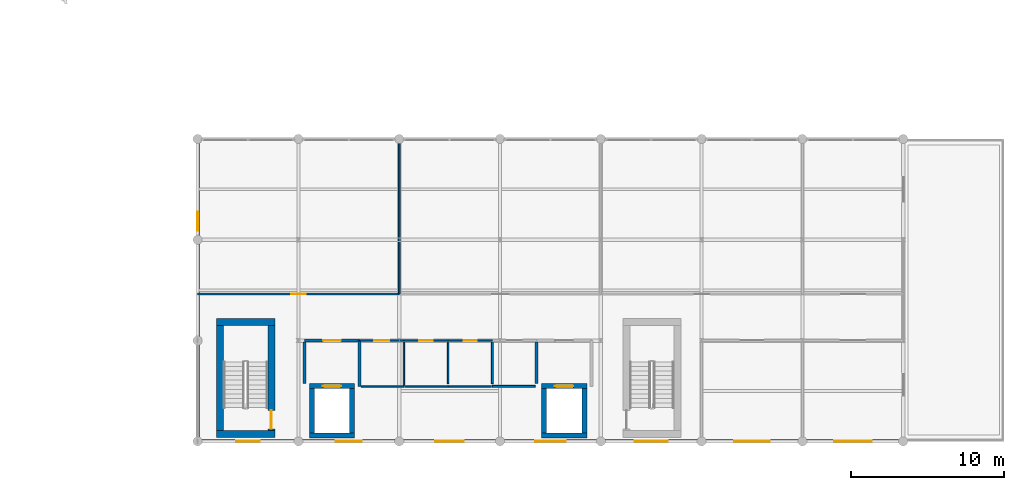
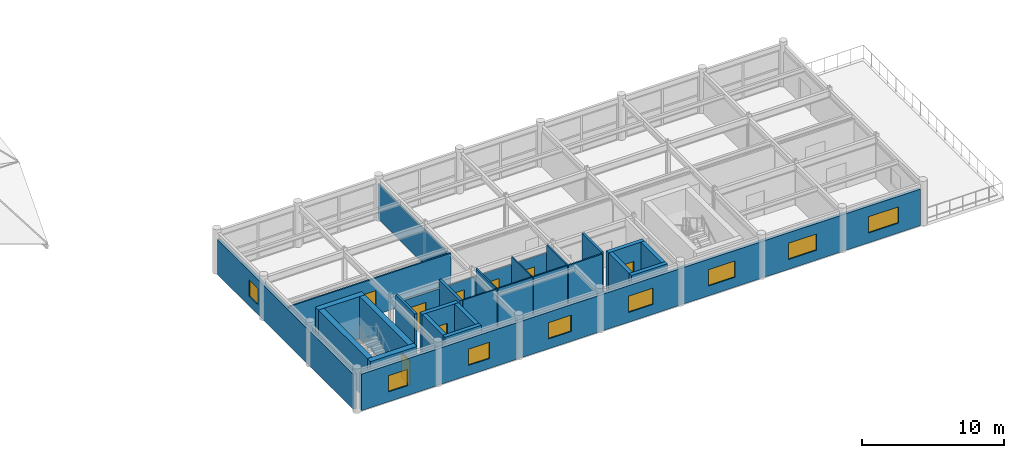
# One storey, part 25 of 28: 30 walls, 8 doors, 8 windows, 16 openings.
"""IFC4 building model written with IfcOpenShell, lengths in metres."""

from ifc_helpers import new_model, si_unit, direction, frame, frame_2d, origin, place, context, subcontext, project, spatial, rectangle, extrude, material, layer, layer_set, type_object, element, fill, save


model = new_model("IFC4")

# Units and contexts
model_context = context("Model", 3, precision=1e-05, world=origin(), true_north=direction((0.0, 1.0)))
body_context = subcontext(model_context, "Body", "Model", "MODEL_VIEW")
ifc_project = project(units=[si_unit("LENGTHUNIT", "METRE"), si_unit("AREAUNIT", "SQUARE_METRE"), si_unit("VOLUMEUNIT", "CUBIC_METRE"), si_unit("PLANEANGLEUNIT", "RADIAN"), si_unit("MASSUNIT", "GRAM", prefix="KILO")], contexts=[model_context])

# Site, building, storey
site_placement = place(None, origin())
site = spatial("IfcSite", under=ifc_project, at=site_placement, CompositionType="ELEMENT")
building_placement = place(site_placement, origin())
building = spatial("IfcBuilding", under=site, at=building_placement, Name="Karori Crest Natural Sciences Institute", CompositionType="ELEMENT")
storey_placement = place(building_placement, frame((0.0, 0.0, 34.300048828125)))
storey = spatial("IfcBuildingStorey", under=building, at=storey_placement, Name="L08", CompositionType="ELEMENT", Elevation=34.300048828125)

# Walls
ifc_material_1 = material(Name="Concrete 50 MPa", Category="concrete")
ifc_layer_1 = layer(ifc_material_1, 0.449951171875, Name="Concrete 50 MPa")
ifc_layer_set_1 = layer_set([ifc_layer_1], Name="Concrete 50 MPa")
wall_type_1 = type_object("IfcWallType", Name="IWT-01", PredefinedType="SHEAR", material=ifc_layer_set_1)
for number, where, z_axis, x_axis, name in (
    (1, (104.85009765625, 1.27490234375, 0.0), (0.0, 0.0, 1.0), (1.0, 0.0, 0.0), "Shear wall IW-0105"),
    (2, (104.85009765625, 8.625, 0.0), (0.0, 0.0, 1.0), (1.0, 0.0, 0.0), "Shear wall IW-0106"),
):
    element("IfcWall", number, at=place(storey_placement, frame(where, z_axis=z_axis, x_axis=x_axis)), inside=storey, type_object=wall_type_1, Name=name, PredefinedType="SHEAR", context=body_context, shape_type="SweptSolid", body=[
        extrude(rectangle(XDim=3.7998046875, YDim=0.449951171875, at=frame_2d((1.89990234375, 0.0))), origin(), (0.0, 0.0, 1.0), 3.669921875),
    ])
wall_1_placement = place(storey_placement, frame((105.074951171875, 1.501953125, 0.0), z_axis=(0.0, 0.0, 1.0), x_axis=(0.0, 1.0, 0.0)))
element("IfcWall", 3, at=wall_1_placement, inside=storey, type_object=wall_type_1, Name="Shear wall IW-0107", PredefinedType="SHEAR", context=body_context, shape_type="SweptSolid", body=[
    extrude(rectangle(XDim=6.89599609375, YDim=0.449951171875, at=frame_2d((3.447998046875, 0.0))), origin(), (0.0, 0.0, 1.0), 3.669921875),
])

# Wall, opening, door
wall_2_placement = place(storey_placement, frame((108.425048828125, 1.501953125, 0.0), z_axis=(0.0, 0.0, 1.0), x_axis=(0.0, 1.0, 0.0)))
wall_2 = element("IfcWall", 4, at=wall_2_placement, inside=storey, type_object=wall_type_1, Name="Shear wall IW-0108", PredefinedType="SHEAR", context=body_context, shape_type="SweptSolid", body=[
    extrude(rectangle(XDim=6.89599609375, YDim=0.449951171875, at=frame_2d((3.447998046875, 0.0))), origin(), (0.0, 0.0, 1.0), 3.669921875),
])
opening_1_placement = place(wall_2_placement, frame((0.1201171875, 0.0, 0.0)))
opening_1 = element("IfcOpeningElement", 5, at=opening_1_placement, cuts=wall_2, Name="Opening ID-0027", PredefinedType="OPENING", context=body_context, shape_type="SweptSolid", body=[
    extrude(rectangle(XDim=1.199951171875, YDim=2.14990234375, at=frame_2d((0.60009765625, 1.074951171875))), frame((0.0, 0.23486328125, 0.0), z_axis=(0.0, -1.0, 0.0), x_axis=(1.0, 0.0, 0.0)), (0.0, 0.0, 1.0), 0.469970703125),
])
ifc_material_2 = material(Name="Stainless steel 316 and fire-rated timber", Category="steel")
door_type_1 = type_object("IfcDoorType", Name="IDT-01", OperationType="NOTDEFINED", PredefinedType="DOOR", material=ifc_material_2)
door_1_placement = place(opening_1_placement, origin())
door_1 = element("IfcDoor", 6, at=door_1_placement, inside=storey, type_object=door_type_1, Name="Stair ST-03 fire door ID-0027", OperationType="SINGLE_SWING_LEFT", OverallHeight=2.14990234375, OverallWidth=1.199951171875, PredefinedType="DOOR", context=body_context, shape_type="SweptSolid", body=[
    extrude(rectangle(XDim=1.199951171875, YDim=2.14990234375, at=frame_2d((0.60009765625, 1.074951171875))), frame((0.0, 0.02490234375, 0.0), z_axis=(0.0, -1.0, 0.0), x_axis=(1.0, 0.0, 0.0)), (0.0, 0.0, 1.0), 0.050048828125),
])
fill(opening_1, door_1)

# Wall
ifc_layer_2 = layer(ifc_material_1, 0.320068359375, Name="Concrete 50 MPa")
ifc_layer_set_2 = layer_set([ifc_layer_2], Name="Concrete 50 MPa")
wall_type_2 = type_object("IfcWallType", Name="IWT-03", PredefinedType="SHEAR", material=ifc_layer_set_2)
wall_3_placement = place(storey_placement, frame((110.919921875, 1.179931640625, 0.0), z_axis=(0.0, 0.0, 1.0), x_axis=(1.0, 0.0, 0.0)))
element("IfcWall", 7, at=wall_3_placement, inside=storey, type_object=wall_type_2, Name="Shear wall IW-0341", PredefinedType="SHEAR", context=body_context, shape_type="SweptSolid", body=[
    extrude(rectangle(XDim=2.9599609375, YDim=0.320068359375, at=frame_2d((1.47998046875, 0.0))), origin(), (0.0, 0.0, 1.0), 3.669921875),
])

# Wall, opening, door
wall_4_placement = place(storey_placement, frame((110.919921875, 4.419921875, 0.0), z_axis=(0.0, 0.0, 1.0), x_axis=(1.0, 0.0, 0.0)))
wall_4 = element("IfcWall", 8, at=wall_4_placement, inside=storey, type_object=wall_type_2, Name="Shear wall IW-0342", PredefinedType="SHEAR", context=body_context, shape_type="SweptSolid", body=[
    extrude(rectangle(XDim=2.9599609375, YDim=0.320068359375, at=frame_2d((1.47998046875, 0.0))), origin(), (0.0, 0.0, 1.0), 3.669921875),
])
opening_2_placement = place(wall_4_placement, frame((0.8798828125, 0.0, 0.0)))
opening_2 = element("IfcOpeningElement", 9, at=opening_2_placement, cuts=wall_4, Name="Opening LD-0010", PredefinedType="OPENING", context=body_context, shape_type="SweptSolid", body=[
    extrude(rectangle(XDim=1.199951171875, YDim=2.199951171875, at=frame_2d((0.60009765625, 1.10009765625))), frame((0.0, 0.169921875, 0.0), z_axis=(0.0, -1.0, 0.0), x_axis=(1.0, 0.0, 0.0)), (0.0, 0.0, 1.0), 0.340087890625),
])
door_type_2 = type_object("IfcDoorType", Name="LDT-02", OperationType="SLIDING_TO_LEFT", PredefinedType="DOOR", material=ifc_material_2)
door_2_placement = place(opening_2_placement, origin())
door_2 = element("IfcDoor", 10, at=door_2_placement, inside=storey, type_object=door_type_2, Name="Lift LF-01 landing door LD-0010", OperationType="SLIDING_TO_LEFT", OverallHeight=2.199951171875, OverallWidth=1.199951171875, PredefinedType="DOOR", context=body_context, shape_type="SweptSolid", body=[
    extrude(rectangle(XDim=1.199951171875, YDim=2.199951171875, at=frame_2d((0.60009765625, 1.10009765625))), frame((0.0, 0.02490234375, 0.0), z_axis=(0.0, -1.0, 0.0), x_axis=(1.0, 0.0, 0.0)), (0.0, 0.0, 1.0), 0.050048828125),
])
fill(opening_2, door_2)

# Walls
for number, where, z_axis, x_axis, name in (
    (11, (111.080078125, 1.342041015625, 0.0), (0.0, 0.0, 1.0), (0.0, 1.0, 0.0), "Shear wall IW-0343"),
    (12, (113.719970703125, 1.342041015625, 0.0), (0.0, 0.0, 1.0), (0.0, 1.0, 0.0), "Shear wall IW-0344"),
):
    element("IfcWall", number, at=place(storey_placement, frame(where, z_axis=z_axis, x_axis=x_axis)), inside=storey, type_object=wall_type_2, Name=name, PredefinedType="SHEAR", context=body_context, shape_type="SweptSolid", body=[
        extrude(rectangle(XDim=2.916015625, YDim=0.320068359375, at=frame_2d((1.4580078125, 0.0))), origin(), (0.0, 0.0, 1.0), 3.669921875),
    ])
wall_5_placement = place(storey_placement, frame((126.1201171875, 1.179931640625, 0.0), z_axis=(0.0, 0.0, 1.0), x_axis=(1.0, 0.0, 0.0)))
element("IfcWall", 13, at=wall_5_placement, inside=storey, type_object=wall_type_2, Name="Shear wall IW-0389", PredefinedType="SHEAR", context=body_context, shape_type="SweptSolid", body=[
    extrude(rectangle(XDim=2.9599609375, YDim=0.320068359375, at=frame_2d((1.47998046875, 0.0))), origin(), (0.0, 0.0, 1.0), 3.669921875),
])

# Wall, opening, door
wall_6_placement = place(storey_placement, frame((126.1201171875, 4.419921875, 0.0), z_axis=(0.0, 0.0, 1.0), x_axis=(1.0, 0.0, 0.0)))
wall_6 = element("IfcWall", 14, at=wall_6_placement, inside=storey, type_object=wall_type_2, Name="Shear wall IW-0390", PredefinedType="SHEAR", context=body_context, shape_type="SweptSolid", body=[
    extrude(rectangle(XDim=2.9599609375, YDim=0.320068359375, at=frame_2d((1.47998046875, 0.0))), origin(), (0.0, 0.0, 1.0), 3.669921875),
])
opening_3_placement = place(wall_6_placement, frame((0.8798828125, 0.0, 0.0)))
opening_3 = element("IfcOpeningElement", 15, at=opening_3_placement, cuts=wall_6, Name="Opening LD-0022", PredefinedType="OPENING", context=body_context, shape_type="SweptSolid", body=[
    extrude(rectangle(XDim=1.199951171875, YDim=2.199951171875, at=frame_2d((0.60009765625, 1.10009765625))), frame((0.0, 0.169921875, 0.0), z_axis=(0.0, -1.0, 0.0), x_axis=(1.0, 0.0, 0.0)), (0.0, 0.0, 1.0), 0.340087890625),
])
door_3_placement = place(opening_3_placement, origin())
door_3 = element("IfcDoor", 16, at=door_3_placement, inside=storey, type_object=door_type_2, Name="Lift LF-02 landing door LD-0022", OperationType="SLIDING_TO_LEFT", OverallHeight=2.199951171875, OverallWidth=1.199951171875, PredefinedType="DOOR", context=body_context, shape_type="SweptSolid", body=[
    extrude(rectangle(XDim=1.199951171875, YDim=2.199951171875, at=frame_2d((0.60009765625, 1.10009765625))), frame((0.0, 0.02490234375, 0.0), z_axis=(0.0, -1.0, 0.0), x_axis=(1.0, 0.0, 0.0)), (0.0, 0.0, 1.0), 0.050048828125),
])
fill(opening_3, door_3)

# Walls
for number, where, z_axis, x_axis, name in (
    (17, (126.280029296875, 1.342041015625, 0.0), (0.0, 0.0, 1.0), (0.0, 1.0, 0.0), "Shear wall IW-0391"),
    (18, (128.919921875, 1.342041015625, 0.0), (0.0, 0.0, 1.0), (0.0, 1.0, 0.0), "Shear wall IW-0392"),
):
    element("IfcWall", number, at=place(storey_placement, frame(where, z_axis=z_axis, x_axis=x_axis)), inside=storey, type_object=wall_type_2, Name=name, PredefinedType="SHEAR", context=body_context, shape_type="SweptSolid", body=[
        extrude(rectangle(XDim=2.916015625, YDim=0.320068359375, at=frame_2d((1.4580078125, 0.0))), origin(), (0.0, 0.0, 1.0), 3.669921875),
    ])

# Wall, opening, door
ifc_material_3 = material(Name="Concrete 40 MPa", Category="concrete")
ifc_layer_3 = layer(ifc_material_3, 0.199951171875, Name="Concrete 40 MPa")
ifc_layer_set_3 = layer_set([ifc_layer_3], Name="Concrete 40 MPa")
wall_type_3 = type_object("IfcWallType", Name="IWT-04", PredefinedType="SOLIDWALL", material=ifc_layer_set_3)
wall_7_placement = place(storey_placement, frame((110.60009765625, 7.39990234375, 0.0), z_axis=(0.0, 0.0, 1.0), x_axis=(1.0, 0.0, 0.0)))
wall_7 = element("IfcWall", 19, at=wall_7_placement, inside=storey, type_object=wall_type_3, Name="Partition wall IW-0810", PredefinedType="SOLIDWALL", context=body_context, shape_type="SweptSolid", body=[
    extrude(rectangle(XDim=3.599853515625, YDim=0.199951171875, at=frame_2d((1.7998046875, 0.0))), origin(), (0.0, 0.0, 1.0), 2.94287109375),
])
opening_4_placement = place(wall_7_placement, frame((1.22509765625, 0.0, 0.0)))
opening_4 = element("IfcOpeningElement", 20, at=opening_4_placement, cuts=wall_7, Name="Opening ID-0187", PredefinedType="OPENING", context=body_context, shape_type="SweptSolid", body=[
    extrude(rectangle(XDim=1.14990234375, YDim=2.14990234375, at=frame_2d((0.574951171875, 1.074951171875))), frame((0.0, 0.10986328125, 0.0), z_axis=(0.0, -1.0, 0.0), x_axis=(1.0, 0.0, 0.0)), (0.0, 0.0, 1.0), 0.219970703125),
])
door_type_3 = type_object("IfcDoorType", Name="IDT-02", OperationType="NOTDEFINED", PredefinedType="DOOR", material=ifc_material_2)
door_4_placement = place(opening_4_placement, origin())
door_4 = element("IfcDoor", 21, at=door_4_placement, inside=storey, type_object=door_type_3, Name="Firefighting Lift Lobby West door ID-0187", OperationType="SINGLE_SWING_LEFT", OverallHeight=2.14990234375, OverallWidth=1.14990234375, PredefinedType="DOOR", context=body_context, shape_type="SweptSolid", body=[
    extrude(rectangle(XDim=1.14990234375, YDim=2.14990234375, at=frame_2d((0.574951171875, 1.074951171875))), frame((0.0, 0.02490234375, 0.0), z_axis=(0.0, -1.0, 0.0), x_axis=(1.0, 0.0, 0.0)), (0.0, 0.0, 1.0), 0.050048828125),
])
fill(opening_4, door_4)

# Walls
wall_8_placement = place(storey_placement, frame((110.60009765625, 4.58203125, 0.0), z_axis=(0.0, 0.0, 1.0), x_axis=(0.0, 1.0, 0.0)))
element("IfcWall", 22, at=wall_8_placement, inside=storey, type_object=wall_type_3, Name="Partition wall IW-0811", PredefinedType="SOLIDWALL", context=body_context, shape_type="SweptSolid", body=[
    extrude(rectangle(XDim=2.716064453125, YDim=0.199951171875, at=frame_2d((1.35791015625, 0.0))), origin(), (0.0, 0.0, 1.0), 3.669921875),
])
wall_9_placement = place(storey_placement, frame((114.199951171875, 4.39990234375, 0.0), z_axis=(0.0, 0.0, 1.0), x_axis=(0.0, 1.0, 0.0)))
element("IfcWall", 23, at=wall_9_placement, inside=storey, type_object=wall_type_3, Name="Partition wall IW-0812", PredefinedType="SOLIDWALL", context=body_context, shape_type="SweptSolid", body=[
    extrude(rectangle(XDim=3.0, YDim=0.199951171875, at=frame_2d((1.5, 0.0))), origin(), (0.0, 0.0, 1.0), 3.669921875),
])
wall_10_placement = place(storey_placement, frame((125.800048828125, 4.58203125, 0.0), z_axis=(0.0, 0.0, 1.0), x_axis=(0.0, 1.0, 0.0)))
element("IfcWall", 24, at=wall_10_placement, inside=storey, type_object=wall_type_3, Name="Partition wall IW-0814", PredefinedType="SOLIDWALL", context=body_context, shape_type="SweptSolid", body=[
    extrude(rectangle(XDim=2.716064453125, YDim=0.199951171875, at=frame_2d((1.35791015625, 0.0))), origin(), (0.0, 0.0, 1.0), 3.669921875),
])
ifc_material_4 = material(Name="Write-up office acoustic partition")
ifc_layer_4 = layer(ifc_material_4, 0.1201171875, Name="Write-up office acoustic partition")
ifc_layer_set_4 = layer_set([ifc_layer_4], Name="Write-up office acoustic partition")
wall_type_4 = type_object("IfcWallType", Name="IWT-08", PredefinedType="PARTITIONING", material=ifc_layer_set_4)
wall_11_placement = place(storey_placement, frame((122.89990234375, 4.39990234375, 0.0), z_axis=(0.0, 0.0, 1.0), x_axis=(1.0, 0.0, 0.0)))
element("IfcWall", 25, at=wall_11_placement, inside=storey, type_object=wall_type_4, Name="Partition wall IW-0816", PredefinedType="PARTITIONING", context=body_context, shape_type="SweptSolid", body=[
    extrude(rectangle(XDim=2.798095703125, YDim=0.1201171875, at=frame_2d((1.39892578125, 0.0))), origin(), (0.0, 0.0, 1.0), 3.669921875),
])
wall_12_placement = place(storey_placement, frame((122.89990234375, 4.58203125, 0.0), z_axis=(0.0, 0.0, 1.0), x_axis=(0.0, 1.0, 0.0)))
element("IfcWall", 26, at=wall_12_placement, inside=storey, type_object=wall_type_4, Name="Partition wall IW-0818", PredefinedType="PARTITIONING", context=body_context, shape_type="SweptSolid", body=[
    extrude(rectangle(XDim=2.716064453125, YDim=0.1201171875, at=frame_2d((1.35791015625, 0.0))), origin(), (0.0, 0.0, 1.0), 3.669921875),
])

# Wall, opening, door
wall_13_placement = place(storey_placement, frame((103.60009765625, 10.449951171875, 0.0), z_axis=(0.0, 0.0, 1.0), x_axis=(1.0, 0.0, 0.0)))
wall_13 = element("IfcWall", 27, at=wall_13_placement, inside=storey, type_object=wall_type_4, Name="Partition wall IW-0831", PredefinedType="PARTITIONING", context=body_context, shape_type="SweptSolid", body=[
    extrude(rectangle(XDim=13.199951171875, YDim=0.1201171875, at=frame_2d((6.60009765625, 0.0))), origin(), (0.0, 0.0, 1.0), 3.196044921875),
])
opening_5_placement = place(wall_13_placement, frame((6.125, 0.0, 0.0)))
opening_5 = element("IfcOpeningElement", 28, at=opening_5_placement, cuts=wall_13, Name="Opening ID-0195", PredefinedType="OPENING", context=body_context, shape_type="SweptSolid", body=[
    extrude(rectangle(XDim=0.949951171875, YDim=2.10009765625, at=frame_2d((0.47509765625, 1.050048828125))), frame((0.0, 0.070068359375, 0.0), z_axis=(0.0, -1.0, 0.0), x_axis=(1.0, 0.0, 0.0)), (0.0, 0.0, 1.0), 0.14013671875),
])
ifc_material_5 = material(Name="Anodised aluminium and acoustic timber", Category="wood")
door_type_4 = type_object("IfcDoorType", Name="IDT-08", OperationType="NOTDEFINED", PredefinedType="DOOR", material=ifc_material_5)
door_5_placement = place(opening_5_placement, origin())
door_5 = element("IfcDoor", 29, at=door_5_placement, inside=storey, type_object=door_type_4, Name="Senior Fellow Write-Up Office door ID-0195", OperationType="SINGLE_SWING_LEFT", OverallHeight=2.10009765625, OverallWidth=0.949951171875, PredefinedType="DOOR", context=body_context, shape_type="SweptSolid", body=[
    extrude(rectangle(XDim=0.949951171875, YDim=2.10009765625, at=frame_2d((0.47509765625, 1.050048828125))), frame((0.0, 0.02490234375, 0.0), z_axis=(0.0, -1.0, 0.0), x_axis=(1.0, 0.0, 0.0)), (0.0, 0.0, 1.0), 0.050048828125),
])
fill(opening_5, door_5)

# Walls
wall_14_placement = place(storey_placement, frame((116.800048828125, 10.449951171875, 0.0), z_axis=(0.0, 0.0, 1.0), x_axis=(0.0, 1.0, 0.0)))
element("IfcWall", 30, at=wall_14_placement, inside=storey, type_object=wall_type_4, Name="Partition wall IW-0832", PredefinedType="PARTITIONING", context=body_context, shape_type="SweptSolid", body=[
    extrude(rectangle(XDim=10.150146484375, YDim=0.1201171875, at=frame_2d((5.0751953125, 0.0))), origin(), (0.0, 0.0, 1.0), 3.02197265625),
])
ifc_material_6 = material(Name="Washroom moisture-resistant partition")
ifc_layer_5 = layer(ifc_material_6, 0.10009765625, Name="Washroom moisture-resistant partition")
ifc_layer_set_5 = layer_set([ifc_layer_5], Name="Washroom moisture-resistant partition")
wall_type_5 = type_object("IfcWallType", Name="IWT-09", PredefinedType="PARTITIONING", material=ifc_layer_set_5)
wall_15_placement = place(storey_placement, frame((114.302001953125, 4.39990234375, 0.0), z_axis=(0.0, 0.0, 1.0), x_axis=(1.0, 0.0, 0.0)))
element("IfcWall", 31, at=wall_15_placement, inside=storey, type_object=wall_type_5, Name="Partition wall IW-0819", PredefinedType="PARTITIONING", context=body_context, shape_type="SweptSolid", body=[
    extrude(rectangle(XDim=2.798095703125, YDim=0.10009765625, at=frame_2d((1.39892578125, 0.0))), origin(), (0.0, 0.0, 1.0), 3.669921875),
])

# Wall, opening, door
wall_16_placement = place(storey_placement, frame((114.201904296875, 7.39990234375, 0.0), z_axis=(0.0, 0.0, 1.0), x_axis=(1.0, 0.0, 0.0)))
wall_16 = element("IfcWall", 32, at=wall_16_placement, inside=storey, type_object=wall_type_5, Name="Partition wall IW-0820", PredefinedType="PARTITIONING", context=body_context, shape_type="SweptSolid", body=[
    extrude(rectangle(XDim=2.898193359375, YDim=0.10009765625, at=frame_2d((1.44921875, 0.0))), origin(), (0.0, 0.0, 1.0), 2.94287109375),
])
opening_6_placement = place(wall_16_placement, frame((0.948974609375, 0.0, 0.0)))
opening_6 = element("IfcOpeningElement", 33, at=opening_6_placement, cuts=wall_16, Name="Opening ID-0190", PredefinedType="OPENING", context=body_context, shape_type="SweptSolid", body=[
    extrude(rectangle(XDim=1.0, YDim=2.10009765625, at=frame_2d((0.5, 1.050048828125))), frame((0.0, 0.06005859375, 0.0), z_axis=(0.0, -1.0, 0.0), x_axis=(1.0, 0.0, 0.0)), (0.0, 0.0, 1.0), 0.1201171875),
])
door_type_5 = type_object("IfcDoorType", Name="IDT-09", OperationType="NOTDEFINED", PredefinedType="DOOR", material=ifc_material_5)
door_6_placement = place(opening_6_placement, origin())
door_6 = element("IfcDoor", 34, at=door_6_placement, inside=storey, type_object=door_type_5, Name="Accessible WC door ID-0190", OperationType="SINGLE_SWING_RIGHT", OverallHeight=2.10009765625, OverallWidth=1.0, PredefinedType="DOOR", context=body_context, shape_type="SweptSolid", body=[
    extrude(rectangle(XDim=1.0, YDim=2.10009765625, at=frame_2d((0.5, 1.050048828125))), frame((0.0, 0.02490234375, 0.0), z_axis=(0.0, -1.0, 0.0), x_axis=(1.0, 0.0, 0.0)), (0.0, 0.0, 1.0), 0.050048828125),
])
fill(opening_6, door_6)

# Walls
wall_17_placement = place(storey_placement, frame((117.10009765625, 4.4619140625, 0.0), z_axis=(0.0, 0.0, 1.0), x_axis=(0.0, 1.0, 0.0)))
element("IfcWall", 35, at=wall_17_placement, inside=storey, type_object=wall_type_5, Name="Partition wall IW-0821", PredefinedType="PARTITIONING", context=body_context, shape_type="SweptSolid", body=[
    extrude(rectangle(XDim=2.836181640625, YDim=0.10009765625, at=frame_2d((1.41796875, 0.0))), origin(), (0.0, 0.0, 1.0), 3.669921875),
])
wall_18_placement = place(storey_placement, frame((117.152099609375, 4.39990234375, 0.0), z_axis=(0.0, 0.0, 1.0), x_axis=(1.0, 0.0, 0.0)))
element("IfcWall", 36, at=wall_18_placement, inside=storey, type_object=wall_type_5, Name="Partition wall IW-0822", PredefinedType="PARTITIONING", context=body_context, shape_type="SweptSolid", body=[
    extrude(rectangle(XDim=2.847900390625, YDim=0.10009765625, at=frame_2d((1.423828125, 0.0))), origin(), (0.0, 0.0, 1.0), 3.669921875),
])

# Wall, opening, door
wall_19_placement = place(storey_placement, frame((117.10205078125, 7.39990234375, 0.0), z_axis=(0.0, 0.0, 1.0), x_axis=(1.0, 0.0, 0.0)))
wall_19 = element("IfcWall", 37, at=wall_19_placement, inside=storey, type_object=wall_type_5, Name="Partition wall IW-0823", PredefinedType="PARTITIONING", context=body_context, shape_type="SweptSolid", body=[
    extrude(rectangle(XDim=2.89794921875, YDim=0.10009765625, at=frame_2d((1.448974609375, 0.0))), origin(), (0.0, 0.0, 1.0), 2.94287109375),
])
opening_7_placement = place(wall_19_placement, frame((1.009033203125, 0.0, 0.0)))
opening_7 = element("IfcOpeningElement", 38, at=opening_7_placement, cuts=wall_19, Name="Opening ID-0191", PredefinedType="OPENING", context=body_context, shape_type="SweptSolid", body=[
    extrude(rectangle(XDim=0.8798828125, YDim=2.080078125, at=frame_2d((0.43994140625, 1.0400390625))), frame((0.0, 0.06005859375, 0.0), z_axis=(0.0, -1.0, 0.0), x_axis=(1.0, 0.0, 0.0)), (0.0, 0.0, 1.0), 0.1201171875),
])
door_type_6 = type_object("IfcDoorType", Name="IDT-10", OperationType="NOTDEFINED", PredefinedType="DOOR", material=ifc_material_5)
door_7_placement = place(opening_7_placement, origin())
door_7 = element("IfcDoor", 39, at=door_7_placement, inside=storey, type_object=door_type_6, Name="Female Washroom WC door ID-0191", OperationType="SINGLE_SWING_LEFT", OverallHeight=2.080078125, OverallWidth=0.8798828125, PredefinedType="DOOR", context=body_context, shape_type="SweptSolid", body=[
    extrude(rectangle(XDim=0.8798828125, YDim=2.080078125, at=frame_2d((0.43994140625, 1.0400390625))), frame((0.0, 0.02490234375, 0.0), z_axis=(0.0, -1.0, 0.0), x_axis=(1.0, 0.0, 0.0)), (0.0, 0.0, 1.0), 0.050048828125),
])
fill(opening_7, door_7)

# Walls
wall_20_placement = place(storey_placement, frame((120.0, 4.58203125, 0.0), z_axis=(0.0, 0.0, 1.0), x_axis=(0.0, 1.0, 0.0)))
element("IfcWall", 40, at=wall_20_placement, inside=storey, type_object=wall_type_5, Name="Partition wall IW-0824", PredefinedType="PARTITIONING", context=body_context, shape_type="SweptSolid", body=[
    extrude(rectangle(XDim=2.716064453125, YDim=0.10009765625, at=frame_2d((1.35791015625, 0.0))), origin(), (0.0, 0.0, 1.0), 3.669921875),
])
wall_21_placement = place(storey_placement, frame((120.052001953125, 4.39990234375, 0.0), z_axis=(0.0, 0.0, 1.0), x_axis=(1.0, 0.0, 0.0)))
element("IfcWall", 41, at=wall_21_placement, inside=storey, type_object=wall_type_5, Name="Partition wall IW-0825", PredefinedType="PARTITIONING", context=body_context, shape_type="SweptSolid", body=[
    extrude(rectangle(XDim=2.785888671875, YDim=0.10009765625, at=frame_2d((1.39306640625, 0.0))), origin(), (0.0, 0.0, 1.0), 3.669921875),
])

# Wall, opening, door
wall_22_placement = place(storey_placement, frame((120.001953125, 7.39990234375, 0.0), z_axis=(0.0, 0.0, 1.0), x_axis=(1.0, 0.0, 0.0)))
wall_22 = element("IfcWall", 42, at=wall_22_placement, inside=storey, type_object=wall_type_5, Name="Partition wall IW-0826", PredefinedType="PARTITIONING", context=body_context, shape_type="SweptSolid", body=[
    extrude(rectangle(XDim=2.89599609375, YDim=0.10009765625, at=frame_2d((1.447998046875, 0.0))), origin(), (0.0, 0.0, 1.0), 2.94287109375),
])
opening_8_placement = place(wall_22_placement, frame((1.008056640625, 0.0, 0.0)))
opening_8 = element("IfcOpeningElement", 43, at=opening_8_placement, cuts=wall_22, Name="Opening ID-0192", PredefinedType="OPENING", context=body_context, shape_type="SweptSolid", body=[
    extrude(rectangle(XDim=0.8798828125, YDim=2.080078125, at=frame_2d((0.43994140625, 1.0400390625))), frame((0.0, 0.06005859375, 0.0), z_axis=(0.0, -1.0, 0.0), x_axis=(1.0, 0.0, 0.0)), (0.0, 0.0, 1.0), 0.1201171875),
])
door_8_placement = place(opening_8_placement, origin())
door_8 = element("IfcDoor", 44, at=door_8_placement, inside=storey, type_object=door_type_6, Name="Male Washroom WC door ID-0192", OperationType="SINGLE_SWING_RIGHT", OverallHeight=2.080078125, OverallWidth=0.8798828125, PredefinedType="DOOR", context=body_context, shape_type="SweptSolid", body=[
    extrude(rectangle(XDim=0.8798828125, YDim=2.080078125, at=frame_2d((0.43994140625, 1.0400390625))), frame((0.0, 0.02490234375, 0.0), z_axis=(0.0, -1.0, 0.0), x_axis=(1.0, 0.0, 0.0)), (0.0, 0.0, 1.0), 0.050048828125),
])
fill(opening_8, door_8)

# Wall, opening, window
ifc_material_7 = material(Name="Precast concrete 40 MPa", Category="concrete")
ifc_layer_6 = layer(ifc_material_7, 0.239990234375, Name="Precast concrete 40 MPa")
ifc_layer_set_6 = layer_set([ifc_layer_6], Name="Precast concrete 40 MPa")
wall_type_6 = type_object("IfcWallType", Name="WT-04", PredefinedType="SOLIDWALL", material=ifc_layer_set_6)
wall_23_placement = place(storey_placement, frame((103.60009765625, 1.097900390625, 0.0), z_axis=(0.0, 0.0, 1.0), x_axis=(0.0, 1.0, 0.0)))
wall_23 = element("IfcWall", 45, at=wall_23_placement, inside=storey, type_object=wall_type_6, Name="Exterior wall EW-0218", PredefinedType="SOLIDWALL", context=body_context, shape_type="SweptSolid", body=[
    extrude(rectangle(XDim=19.2041015625, YDim=0.239990234375, at=frame_2d((9.60205078125, 0.0))), origin(), (0.0, 0.0, 1.0), 3.02197265625),
])
opening_9_placement = place(wall_23_placement, frame((13.5, 0.0, 0.85009765625)))
opening_9 = element("IfcOpeningElement", 46, at=opening_9_placement, cuts=wall_23, Name="Opening WN-0213", PredefinedType="OPENING", context=body_context, shape_type="SweptSolid", body=[
    extrude(rectangle(XDim=1.25, YDim=1.39990234375, at=frame_2d((0.625, 0.699951171875))), frame((0.0, 0.1298828125, 0.0), z_axis=(0.0, -1.0, 0.0), x_axis=(1.0, 0.0, 0.0)), (0.0, 0.0, 1.0), 0.260009765625),
])
ifc_material_8 = material(Name="Double low-E laminated glass", Category="glass")
window_type_1 = type_object("IfcWindowType", Name="WNT-02", PartitioningType="SINGLE_PANEL", PredefinedType="WINDOW", material=ifc_material_8)
window_1_placement = place(opening_9_placement, origin())
window_1 = element("IfcWindow", 47, at=window_1_placement, inside=storey, type_object=window_type_1, Name="Window WN-0213", OverallHeight=1.39990234375, OverallWidth=1.25, PartitioningType="SINGLE_PANEL", PredefinedType="WINDOW", context=body_context, shape_type="SweptSolid", body=[
    extrude(rectangle(XDim=1.25, YDim=1.39990234375, at=frame_2d((0.625, 0.699951171875))), frame((0.0, 0.030029296875, 0.0), z_axis=(0.0, -1.0, 0.0), x_axis=(1.0, 0.0, 0.0)), (0.0, 0.0, 1.0), 0.06005859375),
])
fill(opening_9, window_1)

# Wall, openings, windows
wall_24_placement = place(storey_placement, frame((149.501953125, 0.800048828125, 0.0), z_axis=(0.0, 0.0, 1.0), x_axis=(-1.0, 0.0, 0.0)))
wall_24 = element("IfcWall", 48, at=wall_24_placement, inside=storey, type_object=wall_type_6, Name="Exterior wall EW-0220", PredefinedType="SOLIDWALL", context=body_context, shape_type="SweptSolid", body=[
    extrude(rectangle(XDim=45.60400390625, YDim=0.239990234375, at=frame_2d((22.802001953125, 0.0))), origin(), (0.0, 0.0, 1.0), 3.155029296875),
])
opening_10_placement = place(wall_24_placement, frame((41.826904296875, 0.0, 0.85009765625)))
opening_10 = element("IfcOpeningElement", 49, at=opening_10_placement, cuts=wall_24, Name="Opening WN-0215", PredefinedType="OPENING", context=body_context, shape_type="SweptSolid", body=[
    extrude(rectangle(XDim=1.550048828125, YDim=1.39990234375, at=frame_2d((0.77490234375, 0.699951171875))), frame((0.0, 0.1298828125, 0.0), z_axis=(0.0, -1.0, 0.0), x_axis=(1.0, 0.0, 0.0)), (0.0, 0.0, 1.0), 0.260009765625),
])
opening_11_placement = place(wall_24_placement, frame((35.152099609375, 0.0, 0.85009765625)))
opening_11 = element("IfcOpeningElement", 50, at=opening_11_placement, cuts=wall_24, Name="Opening WN-0216", PredefinedType="OPENING", context=body_context, shape_type="SweptSolid", body=[
    extrude(rectangle(XDim=1.699951171875, YDim=1.39990234375, at=frame_2d((0.85009765625, 0.699951171875))), frame((0.0, 0.1298828125, 0.0), z_axis=(0.0, -1.0, 0.0), x_axis=(1.0, 0.0, 0.0)), (0.0, 0.0, 1.0), 0.260009765625),
])
opening_12_placement = place(wall_24_placement, frame((28.47705078125, 0.0, 0.85009765625)))
opening_12 = element("IfcOpeningElement", 51, at=opening_12_placement, cuts=wall_24, Name="Opening WN-0217", PredefinedType="OPENING", context=body_context, shape_type="SweptSolid", body=[
    extrude(rectangle(XDim=1.85009765625, YDim=1.39990234375, at=frame_2d((0.925048828125, 0.699951171875))), frame((0.0, 0.1298828125, 0.0), z_axis=(0.0, -1.0, 0.0), x_axis=(1.0, 0.0, 0.0)), (0.0, 0.0, 1.0), 0.260009765625),
])
opening_13_placement = place(wall_24_placement, frame((21.802001953125, 0.0, 0.85009765625)))
opening_13 = element("IfcOpeningElement", 52, at=opening_13_placement, cuts=wall_24, Name="Opening WN-0218", PredefinedType="OPENING", context=body_context, shape_type="SweptSolid", body=[
    extrude(rectangle(XDim=2.0, YDim=1.39990234375, at=frame_2d((1.0, 0.699951171875))), frame((0.0, 0.1298828125, 0.0), z_axis=(0.0, -1.0, 0.0), x_axis=(1.0, 0.0, 0.0)), (0.0, 0.0, 1.0), 0.260009765625),
])
opening_14_placement = place(wall_24_placement, frame((15.126953125, 0.0, 0.85009765625)))
opening_14 = element("IfcOpeningElement", 53, at=opening_14_placement, cuts=wall_24, Name="Opening WN-0219", PredefinedType="OPENING", context=body_context, shape_type="SweptSolid", body=[
    extrude(rectangle(XDim=2.14990234375, YDim=1.39990234375, at=frame_2d((1.074951171875, 0.699951171875))), frame((0.0, 0.1298828125, 0.0), z_axis=(0.0, -1.0, 0.0), x_axis=(1.0, 0.0, 0.0)), (0.0, 0.0, 1.0), 0.260009765625),
])
opening_15_placement = place(wall_24_placement, frame((8.451904296875, 0.0, 0.85009765625)))
opening_15 = element("IfcOpeningElement", 54, at=opening_15_placement, cuts=wall_24, Name="Opening WN-0220", PredefinedType="OPENING", context=body_context, shape_type="SweptSolid", body=[
    extrude(rectangle(XDim=2.300048828125, YDim=1.39990234375, at=frame_2d((1.14990234375, 0.699951171875))), frame((0.0, 0.1298828125, 0.0), z_axis=(0.0, -1.0, 0.0), x_axis=(1.0, 0.0, 0.0)), (0.0, 0.0, 1.0), 0.260009765625),
])
opening_16_placement = place(wall_24_placement, frame((1.777099609375, 0.0, 0.85009765625)))
opening_16 = element("IfcOpeningElement", 55, at=opening_16_placement, cuts=wall_24, Name="Opening WN-0221", PredefinedType="OPENING", context=body_context, shape_type="SweptSolid", body=[
    extrude(rectangle(XDim=2.449951171875, YDim=1.39990234375, at=frame_2d((1.22509765625, 0.699951171875))), frame((0.0, 0.1298828125, 0.0), z_axis=(0.0, -1.0, 0.0), x_axis=(1.0, 0.0, 0.0)), (0.0, 0.0, 1.0), 0.260009765625),
])
window_type_2 = type_object("IfcWindowType", Name="WNT-04", PartitioningType="SINGLE_PANEL", PredefinedType="WINDOW", material=ifc_material_8)
window_2_placement = place(opening_10_placement, origin())
window_2 = element("IfcWindow", 56, at=window_2_placement, inside=storey, type_object=window_type_2, Name="Window WN-0215", OverallHeight=1.39990234375, OverallWidth=1.550048828125, PartitioningType="SINGLE_PANEL", PredefinedType="WINDOW", context=body_context, shape_type="SweptSolid", body=[
    extrude(rectangle(XDim=1.550048828125, YDim=1.39990234375, at=frame_2d((0.77490234375, 0.699951171875))), frame((0.0, 0.030029296875, 0.0), z_axis=(0.0, -1.0, 0.0), x_axis=(1.0, 0.0, 0.0)), (0.0, 0.0, 1.0), 0.06005859375),
])
fill(opening_10, window_2)
window_type_3 = type_object("IfcWindowType", Name="WNT-05", PartitioningType="SINGLE_PANEL", PredefinedType="WINDOW", material=ifc_material_8)
window_3_placement = place(opening_11_placement, origin())
window_3 = element("IfcWindow", 57, at=window_3_placement, inside=storey, type_object=window_type_3, Name="Window WN-0216", OverallHeight=1.39990234375, OverallWidth=1.699951171875, PartitioningType="SINGLE_PANEL", PredefinedType="WINDOW", context=body_context, shape_type="SweptSolid", body=[
    extrude(rectangle(XDim=1.699951171875, YDim=1.39990234375, at=frame_2d((0.85009765625, 0.699951171875))), frame((0.0, 0.030029296875, 0.0), z_axis=(0.0, -1.0, 0.0), x_axis=(1.0, 0.0, 0.0)), (0.0, 0.0, 1.0), 0.06005859375),
])
fill(opening_11, window_3)
window_type_4 = type_object("IfcWindowType", Name="WNT-06", PartitioningType="SINGLE_PANEL", PredefinedType="WINDOW", material=ifc_material_8)
window_4_placement = place(opening_12_placement, origin())
window_4 = element("IfcWindow", 58, at=window_4_placement, inside=storey, type_object=window_type_4, Name="Window WN-0217", OverallHeight=1.39990234375, OverallWidth=1.85009765625, PartitioningType="SINGLE_PANEL", PredefinedType="WINDOW", context=body_context, shape_type="SweptSolid", body=[
    extrude(rectangle(XDim=1.85009765625, YDim=1.39990234375, at=frame_2d((0.925048828125, 0.699951171875))), frame((0.0, 0.030029296875, 0.0), z_axis=(0.0, -1.0, 0.0), x_axis=(1.0, 0.0, 0.0)), (0.0, 0.0, 1.0), 0.06005859375),
])
fill(opening_12, window_4)
window_type_5 = type_object("IfcWindowType", Name="WNT-07", PartitioningType="SINGLE_PANEL", PredefinedType="WINDOW", material=ifc_material_8)
window_5_placement = place(opening_13_placement, origin())
window_5 = element("IfcWindow", 59, at=window_5_placement, inside=storey, type_object=window_type_5, Name="Window WN-0218", OverallHeight=1.39990234375, OverallWidth=2.0, PartitioningType="SINGLE_PANEL", PredefinedType="WINDOW", context=body_context, shape_type="SweptSolid", body=[
    extrude(rectangle(XDim=2.0, YDim=1.39990234375, at=frame_2d((1.0, 0.699951171875))), frame((0.0, 0.030029296875, 0.0), z_axis=(0.0, -1.0, 0.0), x_axis=(1.0, 0.0, 0.0)), (0.0, 0.0, 1.0), 0.06005859375),
])
fill(opening_13, window_5)
window_type_6 = type_object("IfcWindowType", Name="WNT-08", PartitioningType="SINGLE_PANEL", PredefinedType="WINDOW", material=ifc_material_8)
window_6_placement = place(opening_14_placement, origin())
window_6 = element("IfcWindow", 60, at=window_6_placement, inside=storey, type_object=window_type_6, Name="Window WN-0219", OverallHeight=1.39990234375, OverallWidth=2.14990234375, PartitioningType="SINGLE_PANEL", PredefinedType="WINDOW", context=body_context, shape_type="SweptSolid", body=[
    extrude(rectangle(XDim=2.14990234375, YDim=1.39990234375, at=frame_2d((1.074951171875, 0.699951171875))), frame((0.0, 0.030029296875, 0.0), z_axis=(0.0, -1.0, 0.0), x_axis=(1.0, 0.0, 0.0)), (0.0, 0.0, 1.0), 0.06005859375),
])
fill(opening_14, window_6)
window_type_7 = type_object("IfcWindowType", Name="WNT-09", PartitioningType="SINGLE_PANEL", PredefinedType="WINDOW", material=ifc_material_8)
window_7_placement = place(opening_15_placement, origin())
window_7 = element("IfcWindow", 61, at=window_7_placement, inside=storey, type_object=window_type_7, Name="Window WN-0220", OverallHeight=1.39990234375, OverallWidth=2.300048828125, PartitioningType="SINGLE_PANEL", PredefinedType="WINDOW", context=body_context, shape_type="SweptSolid", body=[
    extrude(rectangle(XDim=2.300048828125, YDim=1.39990234375, at=frame_2d((1.14990234375, 0.699951171875))), frame((0.0, 0.030029296875, 0.0), z_axis=(0.0, -1.0, 0.0), x_axis=(1.0, 0.0, 0.0)), (0.0, 0.0, 1.0), 0.06005859375),
])
fill(opening_15, window_7)
window_type_8 = type_object("IfcWindowType", Name="WNT-10", PartitioningType="SINGLE_PANEL", PredefinedType="WINDOW", material=ifc_material_8)
window_8_placement = place(opening_16_placement, origin())
window_8 = element("IfcWindow", 62, at=window_8_placement, inside=storey, type_object=window_type_8, Name="Window WN-0221", OverallHeight=1.39990234375, OverallWidth=2.449951171875, PartitioningType="SINGLE_PANEL", PredefinedType="WINDOW", context=body_context, shape_type="SweptSolid", body=[
    extrude(rectangle(XDim=2.449951171875, YDim=1.39990234375, at=frame_2d((1.22509765625, 0.699951171875))), frame((0.0, 0.030029296875, 0.0), z_axis=(0.0, -1.0, 0.0), x_axis=(1.0, 0.0, 0.0)), (0.0, 0.0, 1.0), 0.06005859375),
])
fill(opening_16, window_8)

save(model, "model.ifc")
